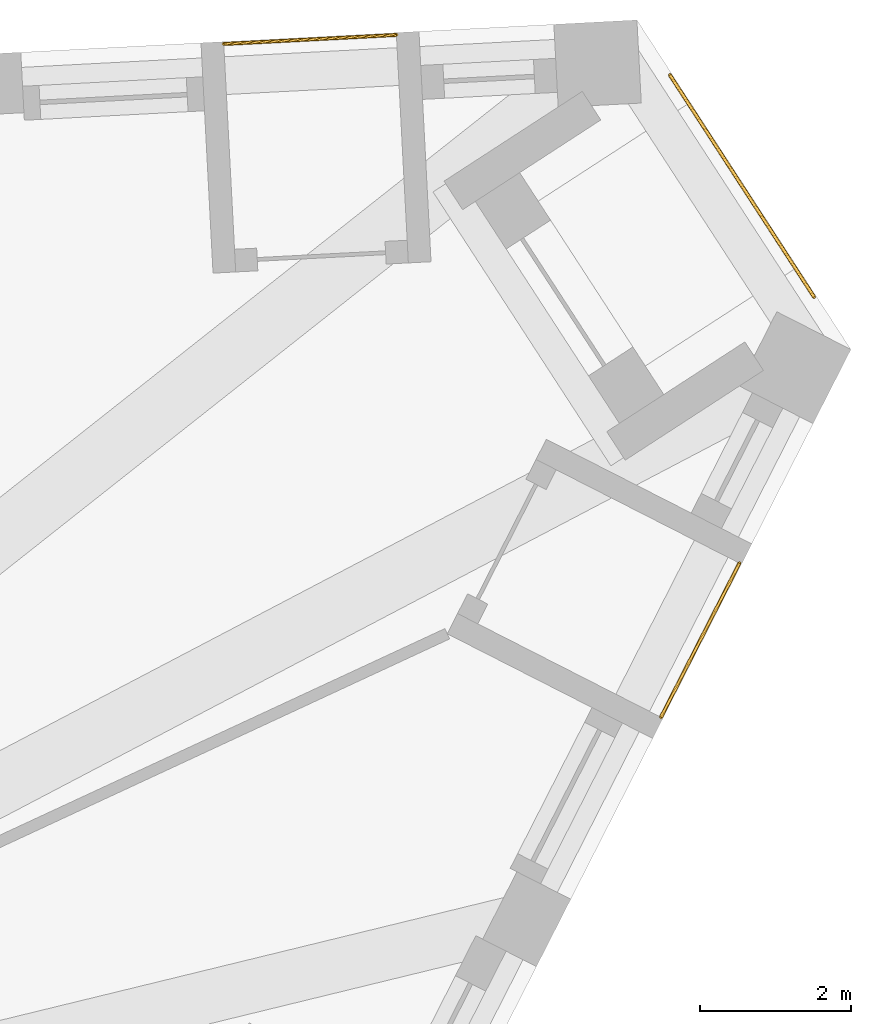
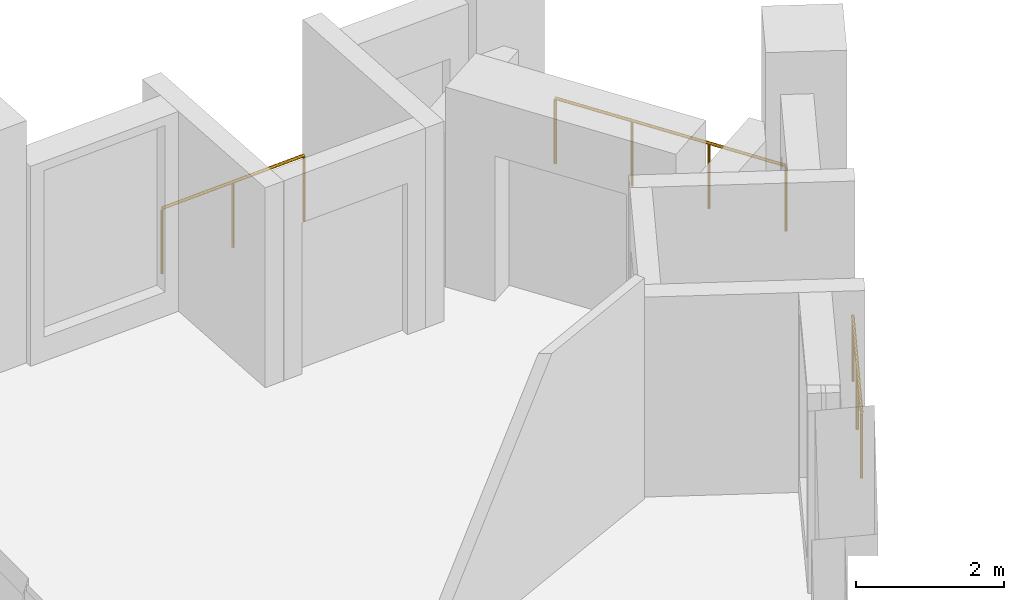
# One storey, part 13 of 13: 3 railings.
"""IFC4 building model written with IfcOpenShell, lengths in metres."""

from ifc_helpers import new_model, si_unit, direction, frame, origin, origin_2d, place, context, subcontext, project, spatial, circle, extrude, material, type_object, element, save


model = new_model("IFC4")

# Units and contexts
model_context = context("Model", 3, precision=1e-05, world=origin(), true_north=direction((0.0, 1.0)))
body_context = subcontext(model_context, "Body", "Model", "MODEL_VIEW")
ifc_project = project(units=[si_unit("LENGTHUNIT", "METRE"), si_unit("AREAUNIT", "SQUARE_METRE"), si_unit("VOLUMEUNIT", "CUBIC_METRE"), si_unit("PLANEANGLEUNIT", "RADIAN"), si_unit("MASSUNIT", "GRAM", prefix="KILO")], contexts=[model_context])

# Site, building, storey
site_placement = place(None, origin())
site = spatial("IfcSite", under=ifc_project, at=site_placement, CompositionType="ELEMENT")
building_placement = place(site_placement, origin())
building = spatial("IfcBuilding", under=site, at=building_placement, Name="Tramontana Tower", CompositionType="ELEMENT")
storey_placement = place(building_placement, frame((0.0, 0.0, 290.39990234375)))
storey = spatial("IfcBuildingStorey", under=building, at=storey_placement, Name="L68", CompositionType="ELEMENT", Elevation=290.39990234375)

# Railings
ifc_material = material(Name="Laminated glass balustrade", Category="glass")
railing_type = type_object("IfcRailingType", Name="GD1 Loggia glass balustrade 1100", PredefinedType="BALUSTRADE", material=ifc_material)
railing_1_placement = place(storey_placement, frame((21.128173828125, 7.390625, 0.0)))
element("IfcRailing", 1, at=railing_1_placement, inside=storey, type_object=railing_type, Name="Loggia balustrade L68 G7S1.13", PredefinedType="BALUSTRADE", context=body_context, shape_type="SweptSolid", body=[
    extrude(circle(Radius=0.02392578125, at=origin_2d()), frame((0.0, 0.0, 1.076171875), z_axis=(0.453948171533, 0.89102809022, 0.0), x_axis=(-0.89102809022, 0.453948171533, 0.0)), (0.0, 0.0, 1.0), 2.286865234375),
    extrude(circle(Radius=0.02099609375, at=origin_2d()), origin(), (0.0, 0.0, 1.0), 1.052001953125),
    extrude(circle(Radius=0.02099609375, at=origin_2d()), frame((0.51904296875, 1.018798828125, 0.0)), (0.0, 0.0, 1.0), 1.052001953125),
    extrude(circle(Radius=0.02099609375, at=origin_2d()), frame((1.0380859375, 2.03759765625, 0.0)), (0.0, 0.0, 1.0), 1.052001953125),
])
railing_2_placement = place(storey_placement, frame((17.62890625, 16.4150390625, 0.0)))
element("IfcRailing", 2, at=railing_2_placement, inside=storey, type_object=railing_type, Name="Loggia balustrade L68 G7S2.1", PredefinedType="BALUSTRADE", context=body_context, shape_type="SweptSolid", body=[
    extrude(circle(Radius=0.02392578125, at=origin_2d()), frame((0.0, 0.0, 1.076171875), z_axis=(-0.998630775221, -0.052312281362, 0.0), x_axis=(0.052312281362, -0.998630775221, 0.0)), (0.0, 0.0, 1.0), 2.286865234375),
    extrude(circle(Radius=0.02099609375, at=origin_2d()), origin(), (0.0, 0.0, 1.0), 1.052001953125),
    extrude(circle(Radius=0.02099609375, at=origin_2d()), frame((-1.141845703125, -0.059814453125, 0.0)), (0.0, 0.0, 1.0), 1.052001953125),
    extrude(circle(Radius=0.02099609375, at=origin_2d()), frame((-2.28369140625, -0.11962890625, 0.0)), (0.0, 0.0, 1.0), 1.052001953125),
])
railing_3_placement = place(storey_placement, frame((21.24658203125, 15.88427734375, 0.0)))
element("IfcRailing", 3, at=railing_3_placement, inside=storey, type_object=railing_type, Name="Corner loggia balustrade L68 K72", PredefinedType="BALUSTRADE", context=body_context, shape_type="SweptSolid", body=[
    extrude(circle(Radius=0.02392578125, at=origin_2d()), frame((0.0, 0.0, 1.076171875), z_axis=(0.544647498784, -0.838665071449, 0.0), x_axis=(0.838665071449, 0.544647498784, 0.0)), (0.0, 0.0, 1.0), 3.5),
    extrude(circle(Radius=0.02099609375, at=origin_2d()), origin(), (0.0, 0.0, 1.0), 1.052001953125),
    extrude(circle(Radius=0.02099609375, at=origin_2d()), frame((0.635498046875, -0.978515625, 0.0)), (0.0, 0.0, 1.0), 1.052001953125),
    extrude(circle(Radius=0.02099609375, at=origin_2d()), frame((1.270751953125, -1.956787109375, 0.0)), (0.0, 0.0, 1.0), 1.052001953125),
    extrude(circle(Radius=0.02099609375, at=origin_2d()), frame((1.90625, -2.935302734375, 0.0)), (0.0, 0.0, 1.0), 1.052001953125),
])

save(model, "model.ifc")
